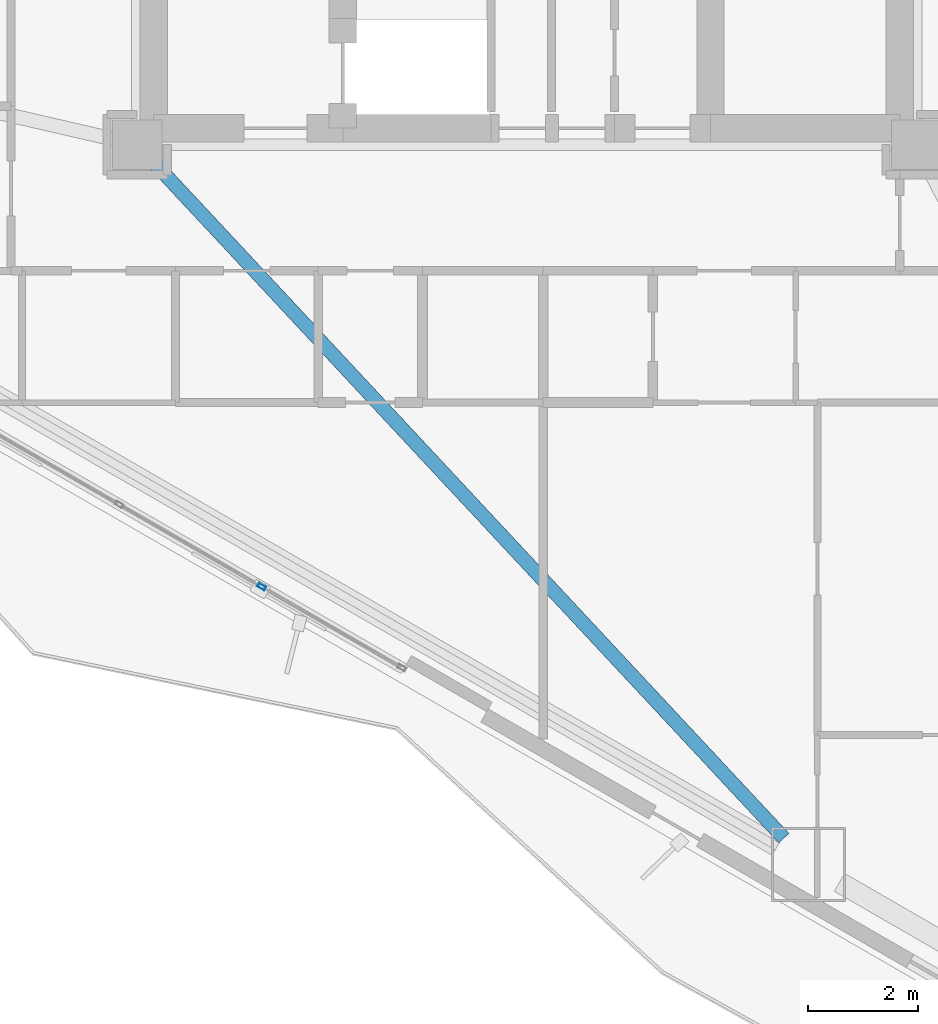
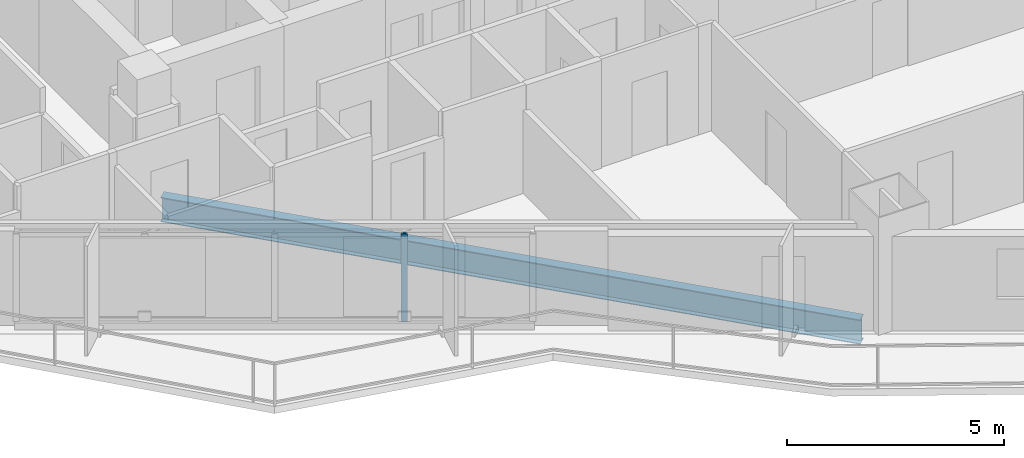
# One storey, part 4 of 19: 1 beam, 1 member, 1 element without a shape of its own.
"""IFC4 building model written with IfcOpenShell, lengths in metres."""

from ifc_helpers import new_model, si_unit, direction, frame, origin, origin_2d, place, context, subcontext, project, spatial, hollow_rectangle, i_section, extrude, material, layer, layer_set, material_profile, profile_set, type_object, element, aggregate, save


model = new_model("IFC4")

# Units and contexts
model_context = context("Model", 3, precision=1e-05, world=origin(), true_north=direction((0.0, 1.0)))
body_context = subcontext(model_context, "Body", "Model", "MODEL_VIEW")
ifc_project = project(units=[si_unit("LENGTHUNIT", "METRE"), si_unit("AREAUNIT", "SQUARE_METRE"), si_unit("VOLUMEUNIT", "CUBIC_METRE"), si_unit("PLANEANGLEUNIT", "RADIAN"), si_unit("MASSUNIT", "GRAM", prefix="KILO")], contexts=[model_context])

# Site, building, storey
site_placement = place(None, origin())
site = spatial("IfcSite", under=ifc_project, at=site_placement, CompositionType="ELEMENT")
building_placement = place(site_placement, origin())
building = spatial("IfcBuilding", under=site, at=building_placement, Name="Mersakhor Tower and Convention Hall", CompositionType="ELEMENT")
storey_placement = place(building_placement, frame((0.0, 0.0, 42.300048828125)))
storey = spatial("IfcBuildingStorey", under=building, at=storey_placement, Name="L11", CompositionType="ELEMENT", Elevation=42.300048828125)

# Beam
ifc_material_1 = material(Name="Steel S355", Category="steel")
ifc_material_profile_1 = material_profile(ifc_material_1, i_section(OverallWidth=0.25439453125, OverallDepth=0.6875, WebThickness=0.01318359375, FlangeThickness=0.02099609375, at=origin_2d()), Name="UB 686x254x152")
ifc_profile_set_1 = profile_set([ifc_material_profile_1], Name="Steel S355")
beam_type = type_object("IfcBeamType", Name="BM-PR-686", PredefinedType="BEAM", material=ifc_profile_set_1)
beam_placement = place(storey_placement, frame((22.193359375, 20.135498046875, -0.603759765625), z_axis=(0.68200435324, -0.731348112845, 0.0), x_axis=(0.731348112845, 0.68200435324, 0.0)))
element("IfcBeam", 1, at=beam_placement, inside=storey, type_object=beam_type, Name="L11 Primary Floor Girder FG-5", PredefinedType="BEAM", context=body_context, shape_type="SweptSolid", body=[
    extrude(i_section(OverallWidth=0.25439453125, OverallDepth=0.6875, WebThickness=0.01318359375, FlangeThickness=0.02099609375, at=origin_2d()), origin(), (0.0, 0.0, 1.0), 16.85205078125),
])

# Curtain wall, member
ifc_material_2 = material(Name="Dark solar low-E aluminium curtain wall", Category="aluminium")
ifc_layer = layer(ifc_material_2, 0.159912109375)
ifc_layer_set = layer_set([ifc_layer], Name="Dark solar low-E aluminium curtain wall")
curtain_wall_type = type_object("IfcCurtainWallType", Name="CW-SYS-01", PredefinedType="USERDEFINED", material=ifc_layer_set)
curtain_wall_placement = place(storey_placement, origin())
curtain_wall = element("IfcCurtainWall", 2, at=curtain_wall_placement, inside=storey, type_object=curtain_wall_type, Name="L11 Dark-Glass Curtain Wall F3-B2", ObjectType="CURTAIN WALL", PredefinedType="USERDEFINED")
ifc_material_3 = material(Name="Anodised aluminium EN AW-6063 T6", Category="aluminium")
ifc_material_profile_2 = material_profile(ifc_material_3, hollow_rectangle(XDim=0.074951171875, YDim=0.14990234375, WallThickness=0.00634765625, at=origin_2d()), Name="RHS 150x75x6.3")
ifc_profile_set_2 = profile_set([ifc_material_profile_2], Name="Anodised aluminium EN AW-6063 T6")
member_type = type_object("IfcMemberType", Name="CWM-150x75", PredefinedType="MULLION", material=ifc_profile_set_2)
member_placement = place(storey_placement, frame((24.167236328125, 12.392822265625, 0.199951171875), z_axis=(0.0, 0.0, 1.0), x_axis=(-0.50000344889, -0.866023412558, 0.0)))
member = element("IfcMember", 3, at=member_placement, type_object=member_type, Name="CW-01 mullion 2", PredefinedType="MULLION", context=body_context, shape_type="SweptSolid", body=[
    extrude(hollow_rectangle(XDim=0.074951171875, YDim=0.14990234375, WallThickness=0.00634765625, at=origin_2d()), origin(), (0.0, 0.0, 1.0), 2.4599609375),
])
aggregate(curtain_wall, [member])

save(model, "model.ifc")
